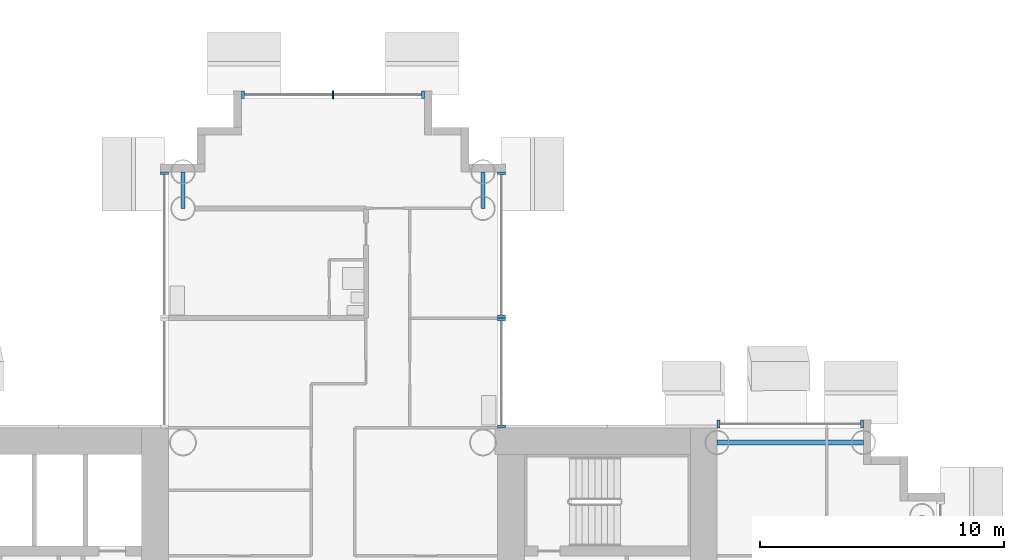
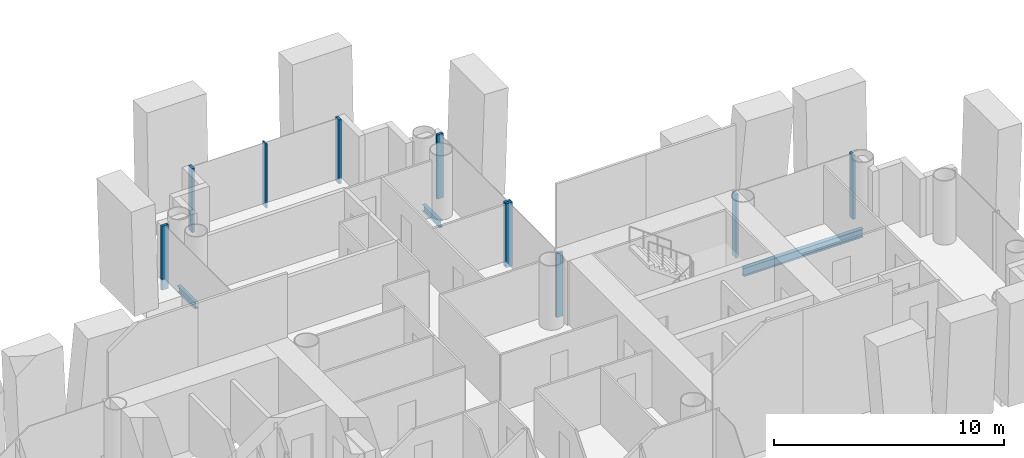
# One storey, part 5 of 25: 10 members, 3 beams, 5 elements without a shape of their own.
"""IFC4 building model written with IfcOpenShell, lengths in metres."""

import ifcopenshell
import ifcopenshell.guid

model = None  # the IFC model being written
_history = None  # IfcOwnerHistory: only IFC2X3 demands one
_inside = {}  # id of a spatial element -> (the spatial element, [elements in it])
_under = {}  # id of a project, library or spatial element -> (it, [spatial elements below it])
_declared = {}  # id of a project -> (the project, [libraries it declares])
_typed = {}  # id of a type object -> (the type object, [elements of that type])
_made_of = {}  # id of a material, layer set ... -> (it, [elements and type objects made of it])


def new_model(schema):
    """Start an empty IFC model of exactly this schema.

    Asked for "IFC4X3", IfcOpenShell would pick the latest addendum, in which some entities
    have other attributes; the version numbers below select the first issue.
    IFC2X3 requires an IfcOwnerHistory on every rooted entity: one is made here for all.
    """
    global model, _history
    if schema == "IFC4X3":
        model = ifcopenshell.file(schema_version=(4, 3, 0, 0))
    else:
        model = ifcopenshell.file(schema=schema)
    _inside.clear()
    _under.clear()
    _declared.clear()
    _typed.clear()
    _made_of.clear()
    _history = None
    if model.schema == "IFC2X3":
        org = make("IfcOrganization", Name="unknown")
        user = make(
            "IfcPersonAndOrganization",
            ThePerson=make("IfcPerson", FamilyName="unknown"),
            TheOrganization=org,
        )
        app = make(
            "IfcApplication",
            ApplicationDeveloper=org,
            Version="unknown",
            ApplicationFullName="unknown",
            ApplicationIdentifier="unknown",
        )
        _history = make(
            "IfcOwnerHistory",
            OwningUser=user,
            OwningApplication=app,
            ChangeAction="ADDED",
            CreationDate=0,
        )
    return model


def make(cls, **values):
    """One entity of the class cls with the attributes given. An attribute that is None is left unset."""
    return model.create_entity(
        cls, **{name: value for name, value in values.items() if value is not None}
    )


def rooted(cls, **values):
    """An entity with a GlobalId (a new one), such as an element, a storey or a relation."""
    return make(cls, GlobalId=ifcopenshell.guid.new(), OwnerHistory=_history, **values)


def si_unit(unit_type, name, prefix=None):
    """IfcSIUnit, for example si_unit("LENGTHUNIT", "METRE", prefix="MILLI")."""
    return make("IfcSIUnit", UnitType=unit_type, Prefix=prefix, Name=name)


def assignment(units):
    """IfcUnitAssignment: the units of a project."""
    return None if units is None else make("IfcUnitAssignment", Units=units)


def point(xyz):
    """IfcCartesianPoint."""
    return None if xyz is None else make("IfcCartesianPoint", Coordinates=xyz)


def direction(xyz):
    """IfcDirection."""
    return None if xyz is None else make("IfcDirection", DirectionRatios=xyz)


def frame(location, z_axis=None, x_axis=None):
    """IfcAxis2Placement3D, a coordinate frame: its origin and axes. An axis left out is left unset."""
    return make(
        "IfcAxis2Placement3D",
        Location=point(location),
        Axis=direction(z_axis),
        RefDirection=direction(x_axis),
    )


def frame_2d(location, x_axis=None):
    """IfcAxis2Placement2D, a coordinate frame in the plane: its origin and x axis."""
    return make(
        "IfcAxis2Placement2D", Location=point(location), RefDirection=direction(x_axis)
    )


def origin():
    """The frame at (0, 0, 0) with its axes left unset."""
    return frame((0.0, 0.0, 0.0))


def origin_2d():
    """The frame at (0, 0) in the plane with its x axis left unset."""
    return frame_2d((0.0, 0.0))


def place(relative_to, where):
    """IfcLocalPlacement: puts the frame where relative to a parent placement (None: the world)."""
    return make(
        "IfcLocalPlacement", PlacementRelTo=relative_to, RelativePlacement=where
    )


def context(
    kind, dimensions, precision=None, world=None, true_north=None, identifier=None
):
    """IfcGeometricRepresentationContext, for example the 3D "Model" context."""
    return make(
        "IfcGeometricRepresentationContext",
        ContextIdentifier=identifier,
        ContextType=kind,
        CoordinateSpaceDimension=dimensions,
        Precision=precision,
        WorldCoordinateSystem=world,
        TrueNorth=true_north,
    )


def subcontext(parent, identifier, kind, view, scale=None):
    """IfcGeometricRepresentationSubContext, for example "Body" below "Model"."""
    return make(
        "IfcGeometricRepresentationSubContext",
        ContextIdentifier=identifier,
        ContextType=kind,
        ParentContext=parent,
        TargetScale=scale,
        TargetView=view,
    )


def project(units=None, contexts=None):
    """IfcProject with its units and contexts."""
    return rooted(
        "IfcProject",
        Name="project",
        RepresentationContexts=contexts,
        UnitsInContext=assignment(units),
    )


def spatial(cls, under=None, at=None, **own):
    """A site, building, storey or space (cls), placed at a placement, below another one or the project."""
    s = rooted(cls, ObjectPlacement=at, **own)
    if under is not None:
        _under.setdefault(under.id(), (under, []))[1].append(s)
    return s


def profile(cls, at=None, kind="AREA", **sizes):
    """A parametric profile (cls). Its sizes go by their IFC names, for example OverallWidth=200.0."""
    return make(cls, ProfileType=kind, Position=at, **sizes)


def rectangle(**sizes):
    """IfcRectangleProfileDef."""
    return profile("IfcRectangleProfileDef", **sizes)


def i_section(**sizes):
    """IfcIShapeProfileDef."""
    return profile("IfcIShapeProfileDef", **sizes)


def extrude(swept, where, along, depth):
    """IfcExtrudedAreaSolid: the profile swept, set in the frame where, extruded along a direction by depth."""
    return make(
        "IfcExtrudedAreaSolid",
        SweptArea=swept,
        Position=where,
        ExtrudedDirection=direction(along),
        Depth=depth,
    )


def shape(context_of_items, identifier, shape_type, items):
    """IfcShapeRepresentation: the items that make up one representation, for example the "Body"."""
    return make(
        "IfcShapeRepresentation",
        ContextOfItems=context_of_items,
        RepresentationIdentifier=identifier,
        RepresentationType=shape_type,
        Items=items,
    )


def material(Name=None, Category=None):
    """IfcMaterial."""
    return make("IfcMaterial", Name=Name, Category=Category)


def layer(
    of_material, thickness, ventilated=None, Name=None, Category=None, Priority=None
):
    """IfcMaterialLayer: one layer of a wall or slab, of a material (None: an air gap)."""
    return make(
        "IfcMaterialLayer",
        Material=of_material,
        LayerThickness=thickness,
        IsVentilated=ventilated,
        Name=Name,
        Category=Category,
        Priority=Priority,
    )


def layer_set(layers, Name=None):
    """IfcMaterialLayerSet."""
    return make("IfcMaterialLayerSet", MaterialLayers=layers, LayerSetName=Name)


def material_profile(
    of_material, cross_section, Name=None, Category=None, Priority=None
):
    """IfcMaterialProfile: a cross section and its material."""
    return make(
        "IfcMaterialProfile",
        Name=Name,
        Material=of_material,
        Profile=cross_section,
        Priority=Priority,
        Category=Category,
    )


def profile_set(profiles, Name=None, composite=None):
    """IfcMaterialProfileSet."""
    return make(
        "IfcMaterialProfileSet",
        Name=Name,
        MaterialProfiles=profiles,
        CompositeProfile=composite,
    )


def made_of(thing, what):
    """Note that an element or type object is made of a material, layer set ...; save() writes the relation."""
    if what is not None:
        _made_of.setdefault(what.id(), (what, []))[1].append(thing)
    return thing


def type_object(cls, material=None, **own):
    """A type object (cls), such as IfcWallType, which elements share."""
    return made_of(rooted(cls, **own), material)


def element(
    cls,
    number,
    at=None,
    inside=None,
    cuts=None,
    type_object=None,
    material=None,
    context=None,
    identifier="Body",
    shape_type=None,
    held_by="IfcProductDefinitionShape",
    body=None,
    shapes=None,
    **own,
):
    """One element of the class cls, such as IfcWall. Its Tag is "e" and its number.

    at: its placement. inside: the storey or other place that contains it. cuts: it is an
    opening in that element (IfcRelVoidsElement). A single representation is given by context,
    identifier, shape_type and body (its items); several are given by shapes. held_by: the class
    of the entity that holds the representations. save() writes the other relations.
    """
    e = rooted(cls, Tag="e%d" % number, ObjectPlacement=at, **own)
    if body is not None:
        shapes = [shape(context, identifier, shape_type, body)]
    if shapes is not None:
        e.Representation = make(held_by, Representations=shapes)
    if inside is not None:
        _inside.setdefault(inside.id(), (inside, []))[1].append(e)
    if cuts is not None:
        rooted(
            "IfcRelVoidsElement", RelatingBuildingElement=cuts, RelatedOpeningElement=e
        )
    if type_object is not None:
        _typed.setdefault(type_object.id(), (type_object, []))[1].append(e)
    return made_of(e, material)


def aggregate(whole, parts):
    """IfcRelAggregates: a whole, such as a stair, and the parts it consists of."""
    return rooted("IfcRelAggregates", RelatingObject=whole, RelatedObjects=parts)


def save(model, path):
    """Write the relations noted so far, then the file.

    IfcRelAggregates (storeys below a building ...), IfcRelContainedInSpatialStructure (elements
    in a storey), IfcRelDefinesByType, IfcRelAssociatesMaterial and IfcRelDeclares: one each for
    every whole, place, type object, material and project.
    """
    for whole, parts in _under.values():
        aggregate(whole, parts)
    for where, things in _inside.values():
        rooted(
            "IfcRelContainedInSpatialStructure",
            RelatedElements=things,
            RelatingStructure=where,
        )
    for kind, things in _typed.values():
        rooted("IfcRelDefinesByType", RelatedObjects=things, RelatingType=kind)
    for what, things in _made_of.values():
        rooted("IfcRelAssociatesMaterial", RelatedObjects=things, RelatingMaterial=what)
    for by, libraries in _declared.values():
        rooted("IfcRelDeclares", RelatingContext=by, RelatedDefinitions=libraries)
    model.write(path)


model = new_model("IFC4")

# Units and contexts
model_context = context("Model", 3, precision=1e-05, world=origin(), true_north=direction((0.0, 1.0)))
body_context = subcontext(model_context, "Body", "Model", "MODEL_VIEW")
ifc_project = project(units=[si_unit("LENGTHUNIT", "METRE"), si_unit("AREAUNIT", "SQUARE_METRE"), si_unit("VOLUMEUNIT", "CUBIC_METRE"), si_unit("PLANEANGLEUNIT", "RADIAN"), si_unit("MASSUNIT", "GRAM", prefix="KILO")], contexts=[model_context])

# Site, building, storey
site_placement = place(None, origin())
site = spatial("IfcSite", under=ifc_project, at=site_placement, CompositionType="ELEMENT")
building_placement = place(site_placement, origin())
building = spatial("IfcBuilding", under=site, at=building_placement, Name="Ipe Terrace Towers", CompositionType="ELEMENT")
storey_placement = place(building_placement, frame((0.0, 0.0, 65.300048828125)))
storey = spatial("IfcBuildingStorey", under=building, at=storey_placement, Name="L17", CompositionType="ELEMENT", Elevation=65.300048828125)

# Beams
ifc_material_1 = material(Name="Steel S355", Category="steel")
ifc_material_profile_1 = material_profile(ifc_material_1, i_section(OverallWidth=0.175048828125, OverallDepth=0.35009765625, WebThickness=0.007080078125, FlangeThickness=0.010986328125, at=origin_2d()), Name="H-350x175x7x11")
ifc_profile_set_1 = profile_set([ifc_material_profile_1], Name="Steel S355")
beam_type_1 = type_object("IfcBeamType", Name="H04 EDGE BEAM H-350x175x7x11", PredefinedType="BEAM", material=ifc_profile_set_1)
for number, where, z_axis, x_axis, name in (
    (1, (-29.85009765625, 15.75, -0.574951171875), (0.0, 1.0, 0.0), (-1.0, 0.0, 0.0), "Edge beam T1-EB-B03-B05"),
    (2, (-42.14990234375, 15.75, -0.574951171875), (0.0, 1.0, 0.0), (-1.0, 0.0, 0.0), "Edge beam T1-EB-B04-B06"),
):
    element("IfcBeam", number, at=place(storey_placement, frame(where, z_axis=z_axis, x_axis=x_axis)), inside=storey, type_object=beam_type_1, Name=name, PredefinedType="BEAM", context=body_context, shape_type="SweptSolid", body=[
        extrude(i_section(OverallWidth=0.175048828125, OverallDepth=0.35009765625, WebThickness=0.007080078125, FlangeThickness=0.010986328125, at=origin_2d()), origin(), (0.0, 0.0, 1.0), 1.5),
    ])
ifc_material_2 = material(Name="Steel S355", Category="steel")
ifc_material_profile_2 = material_profile(ifc_material_2, i_section(OverallWidth=0.199951171875, OverallDepth=0.449951171875, WebThickness=0.009033203125, FlangeThickness=0.013916015625, at=origin_2d()), Name="H-450x200x9x14")
ifc_profile_set_2 = profile_set([ifc_material_profile_2], Name="Steel S355")
beam_type_2 = type_object("IfcBeamType", Name="H08 EDGE BEAM H-450x200x9x14", PredefinedType="BEAM", material=ifc_profile_set_2)
beam_placement = place(storey_placement, frame((-20.25, 6.14990234375, -0.625), z_axis=(1.0, 0.0, 0.0), x_axis=(0.0, 1.0, 0.0)))
element("IfcBeam", 3, at=beam_placement, inside=storey, type_object=beam_type_2, Name="Edge beam T1-EB-A02-A04", PredefinedType="BEAM", context=body_context, shape_type="SweptSolid", body=[
    extrude(i_section(OverallWidth=0.199951171875, OverallDepth=0.449951171875, WebThickness=0.009033203125, FlangeThickness=0.013916015625, at=origin_2d()), origin(), (0.0, 0.0, 1.0), 6.0),
])

# Curtain wall, members
ifc_material_3 = material(Name="Aluminium alloy 6063-T6", Category="aluminium")
ifc_layer = layer(ifc_material_3, 0.320068359375)
ifc_layer_set = layer_set([ifc_layer], Name="TOWER UNITISED CURTAIN WALL")
curtain_wall_type = type_object("IfcCurtainWallType", Name="TOWER UNITISED CURTAIN WALL", PredefinedType="NOTDEFINED", material=ifc_layer_set)
curtain_wall_1_placement = place(storey_placement, origin())
curtain_wall_1 = element("IfcCurtainWall", 4, at=curtain_wall_1_placement, inside=storey, type_object=curtain_wall_type, Name="T1-CW-L17-30a curtain wall", PredefinedType="NOTDEFINED")
ifc_material_4 = material(Name="Aluminium alloy 6063-T6", Category="aluminium")
ifc_material_profile_3 = material_profile(ifc_material_4, rectangle(XDim=0.320068359375, YDim=0.1201171875, at=origin_2d()), Name="TOWER UNITISED CORNER MULLION 320 x 120")
ifc_profile_set_3 = profile_set([ifc_material_profile_3], Name="Aluminium alloy 6063-T6")
member_type_1 = type_object("IfcMemberType", Name="TOWER UNITISED CORNER MULLION 320 x 120", PredefinedType="MULLION", material=ifc_profile_set_3)
member_1_placement = place(storey_placement, frame((-14.31005859375, 6.909912109375, -0.300048828125), z_axis=(0.0, 0.0, 1.0), x_axis=(0.0, 1.0, 0.0)))
member_1 = element("IfcMember", 5, at=member_1_placement, type_object=member_type_1, Name="T1-CW-L17-30a mullion 1", PredefinedType="MULLION", context=body_context, shape_type="SweptSolid", body=[
    extrude(rectangle(XDim=0.320068359375, YDim=0.1201171875, at=origin_2d()), origin(), (0.0, 0.0, 1.0), 3.39990234375),
])
member_2_placement = place(storey_placement, frame((-20.18896484375, 6.909912109375, -0.300048828125), z_axis=(0.0, 0.0, 1.0), x_axis=(0.0, 1.0, 0.0)))
member_2 = element("IfcMember", 6, at=member_2_placement, type_object=member_type_1, Name="T1-CW-L17-30a mullion 2", PredefinedType="MULLION", context=body_context, shape_type="SweptSolid", body=[
    extrude(rectangle(XDim=0.320068359375, YDim=0.1201171875, at=origin_2d()), origin(), (0.0, 0.0, 1.0), 3.39990234375),
])
aggregate(curtain_wall_1, [member_1, member_2])

curtain_wall_2_placement = place(storey_placement, origin())
curtain_wall_2 = element("IfcCurtainWall", 7, at=curtain_wall_2_placement, inside=storey, type_object=curtain_wall_type, Name="T1-CW-L17-32a curtain wall", PredefinedType="NOTDEFINED")
member_3_placement = place(storey_placement, frame((-29.090087890625, 6.81005859375, -0.300048828125), z_axis=(0.0, 0.0, 1.0), x_axis=(1.0, 0.0, 0.0)))
member_3 = element("IfcMember", 8, at=member_3_placement, type_object=member_type_1, Name="T1-CW-L17-32a mullion 1", PredefinedType="MULLION", context=body_context, shape_type="SweptSolid", body=[
    extrude(rectangle(XDim=0.320068359375, YDim=0.1201171875, at=origin_2d()), origin(), (0.0, 0.0, 1.0), 3.39990234375),
])
member_4_placement = place(storey_placement, frame((-29.090087890625, 11.18994140625, -0.300048828125), z_axis=(0.0, 0.0, 1.0), x_axis=(1.0, 0.0, 0.0)))
member_4 = element("IfcMember", 9, at=member_4_placement, type_object=member_type_1, Name="T1-CW-L17-32a mullion 2", PredefinedType="MULLION", context=body_context, shape_type="SweptSolid", body=[
    extrude(rectangle(XDim=0.320068359375, YDim=0.1201171875, at=origin_2d()), origin(), (0.0, 0.0, 1.0), 3.39990234375),
])
aggregate(curtain_wall_2, [member_3, member_4])

curtain_wall_3_placement = place(storey_placement, origin())
curtain_wall_3 = element("IfcCurtainWall", 10, at=curtain_wall_3_placement, inside=storey, type_object=curtain_wall_type, Name="T1-CW-L17-33a curtain wall", PredefinedType="NOTDEFINED")
member_5_placement = place(storey_placement, frame((-29.090087890625, 11.31005859375, -0.300048828125), z_axis=(0.0, 0.0, 1.0), x_axis=(1.0, 0.0, 0.0)))
member_5 = element("IfcMember", 11, at=member_5_placement, type_object=member_type_1, Name="T1-CW-L17-33a mullion 1", PredefinedType="MULLION", context=body_context, shape_type="SweptSolid", body=[
    extrude(rectangle(XDim=0.320068359375, YDim=0.1201171875, at=origin_2d()), origin(), (0.0, 0.0, 1.0), 3.39990234375),
])
member_6_placement = place(storey_placement, frame((-29.090087890625, 17.18994140625, -0.300048828125), z_axis=(0.0, 0.0, 1.0), x_axis=(1.0, 0.0, 0.0)))
member_6 = element("IfcMember", 12, at=member_6_placement, type_object=member_type_1, Name="T1-CW-L17-33a mullion 2", PredefinedType="MULLION", context=body_context, shape_type="SweptSolid", body=[
    extrude(rectangle(XDim=0.320068359375, YDim=0.1201171875, at=origin_2d()), origin(), (0.0, 0.0, 1.0), 3.39990234375),
])
aggregate(curtain_wall_3, [member_5, member_6])

curtain_wall_4_placement = place(storey_placement, origin())
curtain_wall_4 = element("IfcCurtainWall", 13, at=curtain_wall_4_placement, inside=storey, type_object=curtain_wall_type, Name="T1-CW-L17-38a curtain wall", PredefinedType="NOTDEFINED")
member_7_placement = place(storey_placement, frame((-32.31005859375, 20.409912109375, -0.300048828125), z_axis=(0.0, 0.0, 1.0), x_axis=(0.0, 1.0, 0.0)))
member_7 = element("IfcMember", 14, at=member_7_placement, type_object=member_type_1, Name="T1-CW-L17-38a mullion 1", PredefinedType="MULLION", context=body_context, shape_type="SweptSolid", body=[
    extrude(rectangle(XDim=0.320068359375, YDim=0.1201171875, at=origin_2d()), origin(), (0.0, 0.0, 1.0), 3.39990234375),
])
member_8_placement = place(storey_placement, frame((-39.68994140625, 20.409912109375, -0.300048828125), z_axis=(0.0, 0.0, 1.0), x_axis=(0.0, 1.0, 0.0)))
member_8 = element("IfcMember", 15, at=member_8_placement, type_object=member_type_1, Name="T1-CW-L17-38a mullion 3", PredefinedType="MULLION", context=body_context, shape_type="SweptSolid", body=[
    extrude(rectangle(XDim=0.320068359375, YDim=0.1201171875, at=origin_2d()), origin(), (0.0, 0.0, 1.0), 3.39990234375),
])

# Curtain wall, member
curtain_wall_5_placement = place(storey_placement, origin())
curtain_wall_5 = element("IfcCurtainWall", 16, at=curtain_wall_5_placement, inside=storey, type_object=curtain_wall_type, Name="T1-CW-L17-43a curtain wall", PredefinedType="NOTDEFINED")
member_9_placement = place(storey_placement, frame((-42.909912109375, 17.18994140625, -0.300048828125), z_axis=(0.0, 0.0, 1.0), x_axis=(-1.0, 0.0, 0.0)))
member_9 = element("IfcMember", 17, at=member_9_placement, type_object=member_type_1, Name="T1-CW-L17-43a mullion 1", PredefinedType="MULLION", context=body_context, shape_type="SweptSolid", body=[
    extrude(rectangle(XDim=0.320068359375, YDim=0.1201171875, at=origin_2d()), origin(), (0.0, 0.0, 1.0), 3.39990234375),
])
aggregate(curtain_wall_5, [member_9])

# Member
ifc_material_5 = material(Name="Aluminium alloy 6063-T6", Category="aluminium")
ifc_material_profile_4 = material_profile(ifc_material_5, rectangle(XDim=0.320068359375, YDim=0.06494140625, at=origin_2d()), Name="TOWER UNITISED MULLION 320 x 65")
ifc_profile_set_4 = profile_set([ifc_material_profile_4], Name="Aluminium alloy 6063-T6")
member_type_2 = type_object("IfcMemberType", Name="TOWER UNITISED MULLION 320 x 65", PredefinedType="MULLION", material=ifc_profile_set_4)
member_10_placement = place(storey_placement, frame((-36.0, 20.409912109375, -0.300048828125), z_axis=(0.0, 0.0, 1.0), x_axis=(0.0, 1.0, 0.0)))
member_10 = element("IfcMember", 18, at=member_10_placement, type_object=member_type_2, Name="T1-CW-L17-38a mullion 2", PredefinedType="MULLION", context=body_context, shape_type="SweptSolid", body=[
    extrude(rectangle(XDim=0.320068359375, YDim=0.06494140625, at=origin_2d()), origin(), (0.0, 0.0, 1.0), 3.39990234375),
])

aggregate(curtain_wall_4, [member_7, member_10, member_8])

save(model, "model.ifc")
